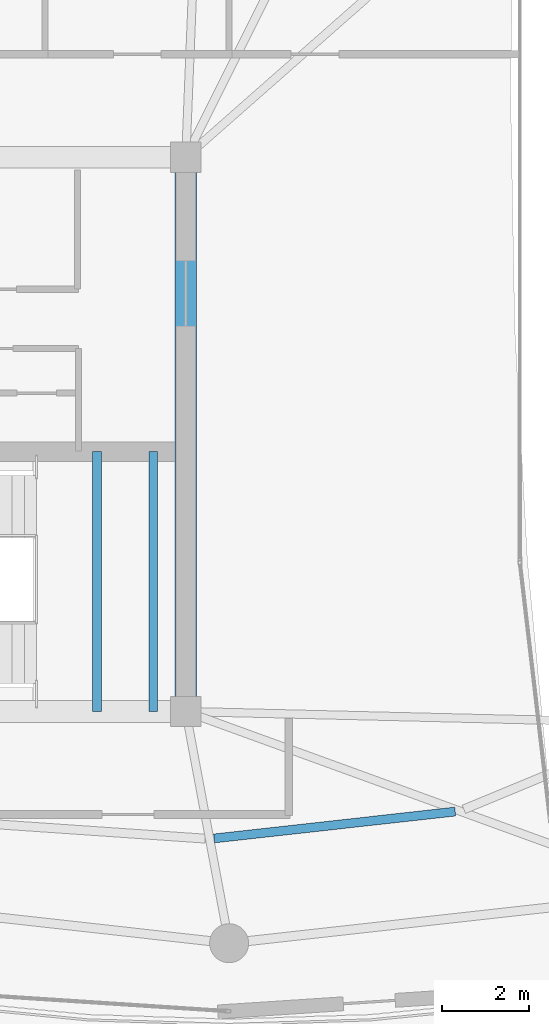
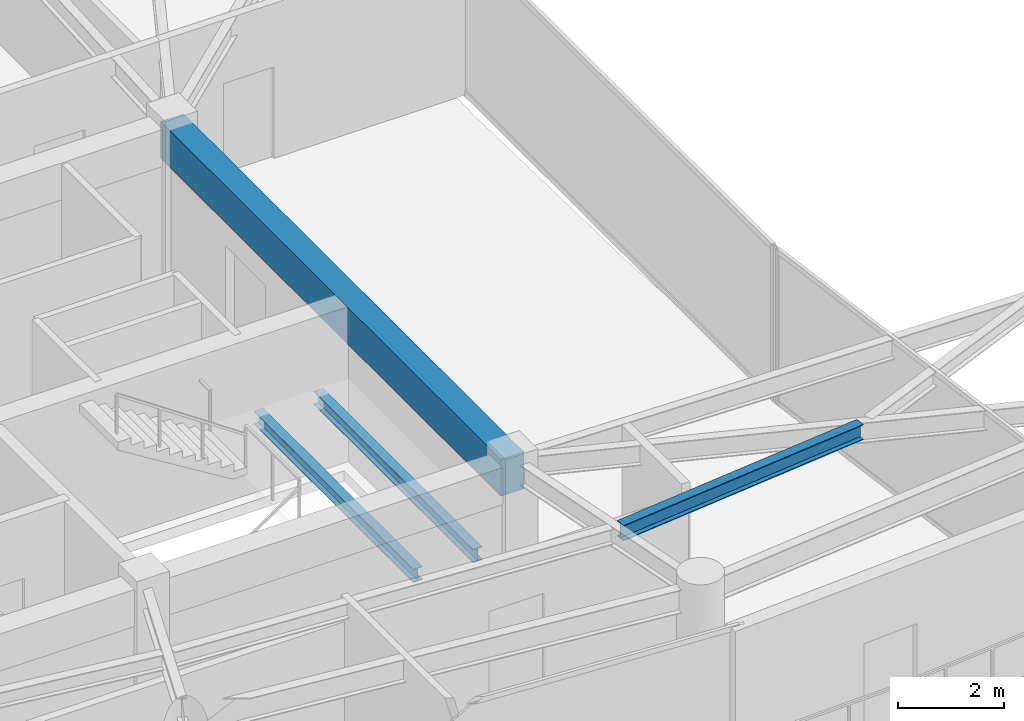
# One storey, part 7 of 23: 4 beams.
"""IFC4 building model written with IfcOpenShell, lengths in metres."""

from ifc_helpers import new_model, si_unit, direction, frame, origin, origin_2d, place, context, subcontext, project, spatial, rectangle, i_section, extrude, material, material_profile, profile_set, type_object, element, save


model = new_model("IFC4")

# Units and contexts
model_context = context("Model", 3, precision=1e-05, world=origin(), true_north=direction((0.0, 1.0)))
body_context = subcontext(model_context, "Body", "Model", "MODEL_VIEW")
ifc_project = project(units=[si_unit("LENGTHUNIT", "METRE"), si_unit("AREAUNIT", "SQUARE_METRE"), si_unit("VOLUMEUNIT", "CUBIC_METRE"), si_unit("PLANEANGLEUNIT", "RADIAN"), si_unit("MASSUNIT", "GRAM", prefix="KILO")], contexts=[model_context])

# Site, building, storey
site_placement = place(None, origin())
site = spatial("IfcSite", under=ifc_project, at=site_placement, CompositionType="ELEMENT")
building_placement = place(site_placement, origin())
building = spatial("IfcBuilding", under=site, at=building_placement, Name="Kazevale Care Tower and Concert Hall", CompositionType="ELEMENT")
storey_placement = place(building_placement, frame((0.0, 0.0, 270.0)))
storey = spatial("IfcBuildingStorey", under=building, at=storey_placement, Name="L71", CompositionType="ELEMENT", Elevation=270.0)

# Beams
ifc_material_1 = material(Name="Concrete C60", Category="concrete")
ifc_material_profile_1 = material_profile(ifc_material_1, rectangle(XDim=0.5, YDim=0.85009765625, at=origin_2d()), Name="RC-B500x850")
ifc_profile_set_1 = profile_set([ifc_material_profile_1], Name="Concrete C60")
beam_type_1 = type_object("IfcBeamType", Name="Core Coupling Beam RC500x850", PredefinedType="LINTEL", material=ifc_profile_set_1)
beam_1_placement = place(storey_placement, frame((44.0, 23.60009765625, 3.135009765625), z_axis=(0.0, 1.0, 0.0), x_axis=(-1.0, 0.0, 0.0)))
element("IfcBeam", 1, at=beam_1_placement, inside=storey, type_object=beam_type_1, Name="beam:L71:coretie:4", PredefinedType="LINTEL", context=body_context, shape_type="SweptSolid", body=[
    extrude(rectangle(XDim=0.5, YDim=0.85009765625, at=origin_2d()), origin(), (0.0, 0.0, 1.0), 12.7998046875),
])
ifc_material_2 = material(Name="Steel ASTM A572 Gr 50", Category="steel")
ifc_material_profile_2 = material_profile(ifc_material_2, i_section(OverallWidth=0.205078125, OverallDepth=0.35400390625, WebThickness=0.009521484375, FlangeThickness=0.016845703125, at=origin_2d()), Name="W360x79")
ifc_profile_set_2 = profile_set([ifc_material_profile_2], Name="Steel ASTM A572 Gr 50")
beam_type_2 = type_object("IfcBeamType", Name="Secondary Floor Joist W360x79", PredefinedType="JOIST", material=ifc_profile_set_2)
beam_2_placement = place(storey_placement, frame((44.654052734375, 20.6689453125, 3.383056640625), z_axis=(0.99385286667, 0.110708985236, 0.0), x_axis=(-0.110708985236, 0.99385286667, 0.0)))
element("IfcBeam", 2, at=beam_2_placement, inside=storey, type_object=beam_type_2, Name="beam:L71:joist:13", PredefinedType="JOIST", context=body_context, shape_type="SweptSolid", body=[
    extrude(i_section(OverallWidth=0.205078125, OverallDepth=0.35400390625, WebThickness=0.009521484375, FlangeThickness=0.016845703125, at=origin_2d()), origin(), (0.0, 0.0, 1.0), 5.601318359375),
])
ifc_material_profile_3 = material_profile(ifc_material_2, i_section(OverallWidth=0.202880859375, OverallDepth=0.302978515625, WebThickness=0.007568359375, FlangeThickness=0.01318359375, at=origin_2d()), Name="W310x60")
ifc_profile_set_3 = profile_set([ifc_material_profile_3], Name="Steel ASTM A572 Gr 50")
beam_type_3 = type_object("IfcBeamType", Name="Stair & Balcony Trimmer W310x60", PredefinedType="BEAM", material=ifc_profile_set_3)
for number, where, z_axis, x_axis, name in (
    (3, (41.949951171875, 23.60009765625, 1.548583984375), (0.0, 1.0, 0.0), (-1.0, 0.0, 0.0), "beam:L71:sttrim:ST2"),
    (4, (43.25, 23.60009765625, 1.548583984375), (0.0, 1.0, 0.0), (-1.0, 0.0, 0.0), "beam:L71:sttrim:ST2b"),
):
    element("IfcBeam", number, at=place(storey_placement, frame(where, z_axis=z_axis, x_axis=x_axis)), inside=storey, type_object=beam_type_3, Name=name, PredefinedType="BEAM", context=body_context, shape_type="SweptSolid", body=[
        extrude(i_section(OverallWidth=0.202880859375, OverallDepth=0.302978515625, WebThickness=0.007568359375, FlangeThickness=0.01318359375, at=origin_2d()), origin(), (0.0, 0.0, 1.0), 6.0),
    ])

save(model, "model.ifc")
